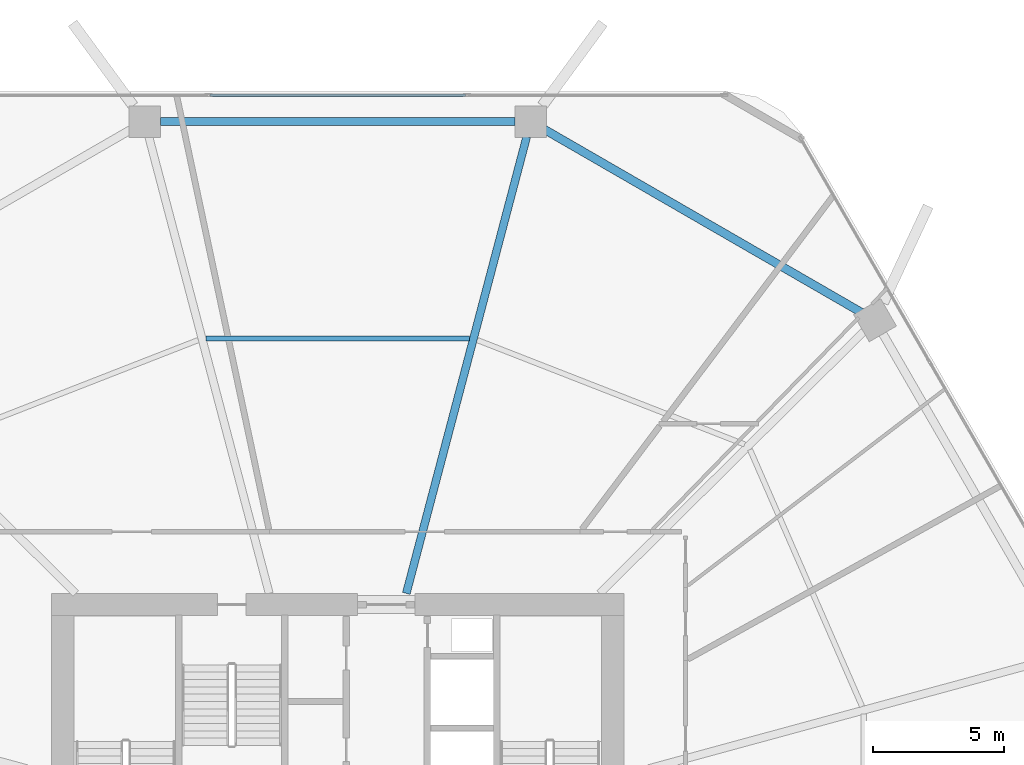
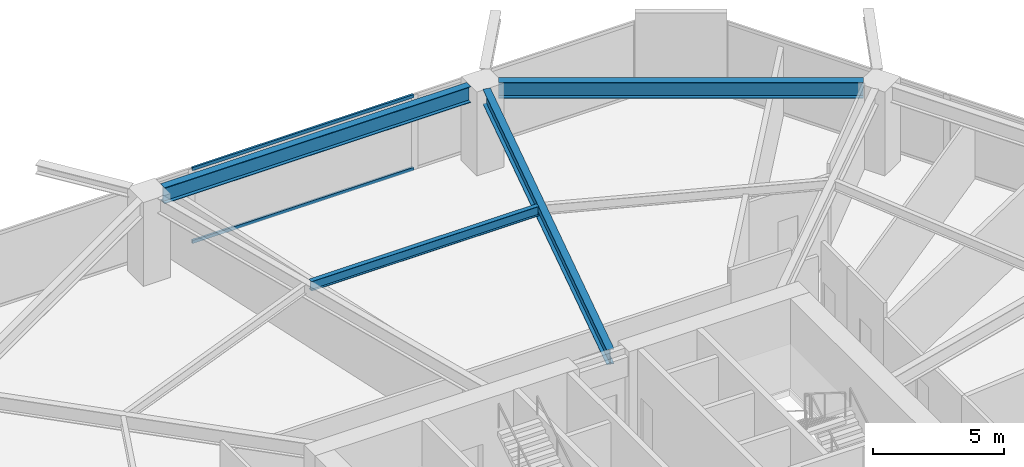
# One storey, part 18 of 25: 4 beams, 2 members, 1 element without a shape of its own.
"""IFC4 building model written with IfcOpenShell, lengths in metres."""

from ifc_helpers import new_model, si_unit, direction, frame, origin, origin_2d, place, context, subcontext, project, spatial, hollow_rectangle, i_section, extrude, material, material_profile, profile_set, type_object, element, aggregate, save


model = new_model("IFC4")

# Units and contexts
model_context = context("Model", 3, precision=1e-05, world=origin(), true_north=direction((0.0, 1.0)))
body_context = subcontext(model_context, "Body", "Model", "MODEL_VIEW")
ifc_project = project(units=[si_unit("LENGTHUNIT", "METRE"), si_unit("AREAUNIT", "SQUARE_METRE"), si_unit("VOLUMEUNIT", "CUBIC_METRE"), si_unit("PLANEANGLEUNIT", "RADIAN"), si_unit("MASSUNIT", "GRAM", prefix="KILO")], contexts=[model_context])

# Site, building, storey
site_placement = place(None, origin())
site = spatial("IfcSite", under=ifc_project, at=site_placement, CompositionType="ELEMENT")
building_placement = place(site_placement, origin())
building = spatial("IfcBuilding", under=site, at=building_placement, Name="Zuhravey Tower", CompositionType="ELEMENT")
storey_placement = place(building_placement, frame((0.0, 0.0, 54.0)))
storey = spatial("IfcBuildingStorey", under=building, at=storey_placement, Name="L13", CompositionType="ELEMENT", Elevation=54.0)

# Curtain wall, members
ifc_material_1 = material(Name="Thermally broken anodised aluminium", Category="aluminium")
curtain_wall_type = type_object("IfcCurtainWallType", Name="School Low-E Unitised Curtain Wall CW1", PredefinedType="NOTDEFINED", material=ifc_material_1)
curtain_wall_placement = place(storey_placement, origin())
curtain_wall = element("IfcCurtainWall", 1, at=curtain_wall_placement, inside=storey, type_object=curtain_wall_type, Name="L13 CW1 CW-L13-F2-1", PredefinedType="NOTDEFINED")
ifc_material_2 = material(Name="Anodised aluminium", Category="aluminium")
ifc_material_profile_1 = material_profile(ifc_material_2, hollow_rectangle(XDim=0.090087890625, YDim=0.14990234375, WallThickness=0.0048828125, at=origin_2d()), Name="ALU-RHS-90x150x5")
ifc_profile_set_1 = profile_set([ifc_material_profile_1], Name="Anodised aluminium")
member_type = type_object("IfcMemberType", Name="Curtain-Wall Transom 90x150", PredefinedType="USERDEFINED", material=ifc_profile_set_1)
member_1_placement = place(storey_placement, frame((31.11181640625, 60.95849609375, 0.044921875), z_axis=(1.0, 0.0, 0.0), x_axis=(0.0, 1.0, 0.0)))
member_1 = element("IfcMember", 2, at=member_1_placement, type_object=member_type, Name="CW1 transom 2.1", ObjectType="TRANSOM", PredefinedType="USERDEFINED", context=body_context, shape_type="SweptSolid", body=[
    extrude(hollow_rectangle(XDim=0.090087890625, YDim=0.14990234375, WallThickness=0.0048828125, at=origin_2d()), origin(), (0.0, 0.0, 1.0), 9.7763671875),
])
member_2_placement = place(storey_placement, frame((31.11181640625, 60.95849609375, 3.447021484375), z_axis=(1.0, 0.0, 0.0), x_axis=(0.0, 1.0, 0.0)))
member_2 = element("IfcMember", 3, at=member_2_placement, type_object=member_type, Name="CW1 transom 2.2", ObjectType="TRANSOM", PredefinedType="USERDEFINED", context=body_context, shape_type="SweptSolid", body=[
    extrude(hollow_rectangle(XDim=0.090087890625, YDim=0.14990234375, WallThickness=0.0048828125, at=origin_2d()), origin(), (0.0, 0.0, 1.0), 9.7763671875),
])
aggregate(curtain_wall, [member_1, member_2])

# Beams
ifc_material_3 = material(Name="Steel SM355", Category="steel")
ifc_material_profile_2 = material_profile(ifc_material_3, i_section(OverallWidth=0.320068359375, OverallDepth=0.75, WebThickness=0.013916015625, FlangeThickness=0.02490234375, at=origin_2d()), Name="H-750x320x14x25")
ifc_profile_set_2 = profile_set([ifc_material_profile_2], Name="Steel SM355")
beam_type_1 = type_object("IfcBeamType", Name="Perimeter Ring Beam H750x320", PredefinedType="BEAM", material=ifc_profile_set_2)
beam_1_placement = place(storey_placement, frame((55.996826171875, 52.658447265625, 3.544921875), z_axis=(-0.866029969761, 0.499992091414, 0.0), x_axis=(-0.499992091414, -0.866029969761, 0.0)))
element("IfcBeam", 4, at=beam_1_placement, inside=storey, type_object=beam_type_1, Name="L13 PB1 BM-L13-PB-02", PredefinedType="BEAM", context=body_context, shape_type="SweptSolid", body=[
    extrude(i_section(OverallWidth=0.320068359375, OverallDepth=0.75, WebThickness=0.013916015625, FlangeThickness=0.02490234375, at=origin_2d()), origin(), (0.0, 0.0, 1.0), 13.977294921875),
])
beam_2_placement = place(storey_placement, frame((42.76708984375, 59.948486328125, 3.544921875), z_axis=(-1.0, 0.0, 0.0), x_axis=(0.0, -1.0, 0.0)))
element("IfcBeam", 5, at=beam_2_placement, inside=storey, type_object=beam_type_1, Name="L13 PB1 BM-L13-PB-03", PredefinedType="BEAM", context=body_context, shape_type="SweptSolid", body=[
    extrude(i_section(OverallWidth=0.320068359375, OverallDepth=0.75, WebThickness=0.013916015625, FlangeThickness=0.02490234375, at=origin_2d()), origin(), (0.0, 0.0, 1.0), 13.5341796875),
])
ifc_material_profile_3 = material_profile(ifc_material_3, i_section(OverallWidth=0.300048828125, OverallDepth=0.699951171875, WebThickness=0.012939453125, FlangeThickness=0.02392578125, at=origin_2d()), Name="H-700x300x13x24")
ifc_profile_set_3 = profile_set([ifc_material_profile_3], Name="Steel SM355")
beam_type_2 = type_object("IfcBeamType", Name="Radial Primary Girder H700x300", PredefinedType="BEAM", material=ifc_profile_set_3)
beam_3_placement = place(storey_placement, frame((38.617919921875, 41.927978515625, 3.570068359375), z_axis=(0.254989720435, 0.966943763862, 0.0), x_axis=(-0.966943763862, 0.254989720435, 0.0)))
element("IfcBeam", 6, at=beam_3_placement, inside=storey, type_object=beam_type_2, Name="L13 RG1 BM-L13-RAD-03", PredefinedType="BEAM", context=body_context, shape_type="SweptSolid", body=[
    extrude(i_section(OverallWidth=0.300048828125, OverallDepth=0.699951171875, WebThickness=0.012939453125, FlangeThickness=0.02392578125, at=origin_2d()), origin(), (0.0, 0.0, 1.0), 18.03369140625),
])
ifc_material_profile_4 = material_profile(ifc_material_3, i_section(OverallWidth=0.199951171875, OverallDepth=0.449951171875, WebThickness=0.009033203125, FlangeThickness=0.013916015625, at=origin_2d()), Name="H-450x200x9x14")
ifc_profile_set_4 = profile_set([ifc_material_profile_4], Name="Steel SM355")
beam_type_3 = type_object("IfcBeamType", Name="Secondary Floor Joist H450x200", PredefinedType="JOIST", material=ifc_profile_set_4)
beam_4_placement = place(storey_placement, frame((41.030029296875, 51.6591796875, 3.695068359375), z_axis=(-1.0, 0.0, 0.0), x_axis=(0.0, -1.0, 0.0)))
element("IfcBeam", 7, at=beam_4_placement, inside=storey, type_object=beam_type_3, Name="L13 SJ1 BM-L13-SJ-03-1", PredefinedType="JOIST", context=body_context, shape_type="SweptSolid", body=[
    extrude(i_section(OverallWidth=0.199951171875, OverallDepth=0.449951171875, WebThickness=0.009033203125, FlangeThickness=0.013916015625, at=origin_2d()), origin(), (0.0, 0.0, 1.0), 10.06005859375),
])

save(model, "model.ifc")
